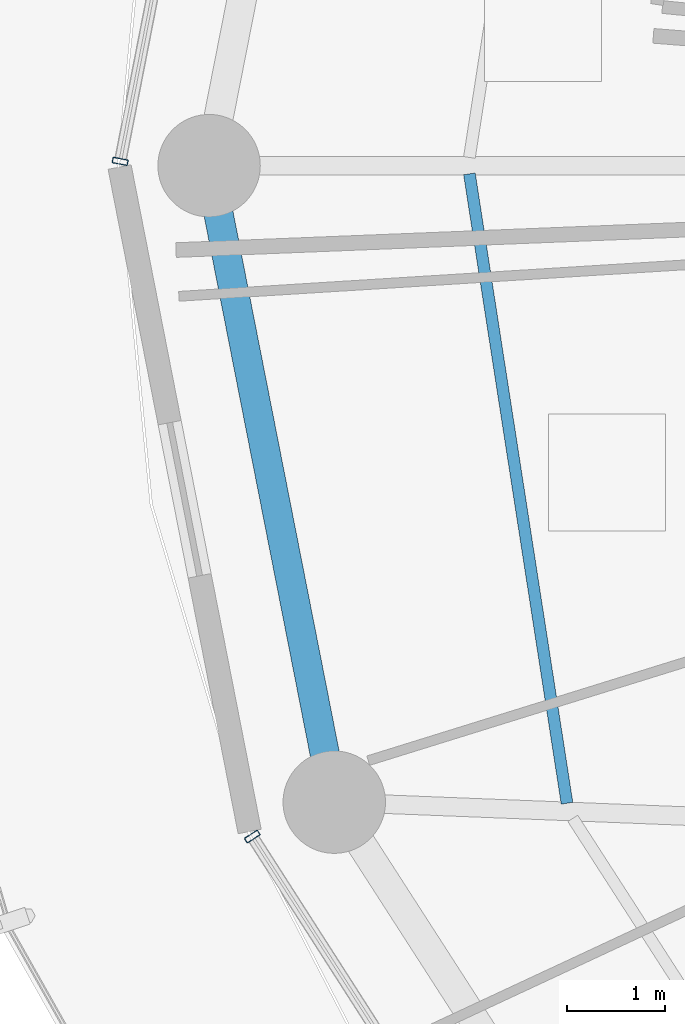
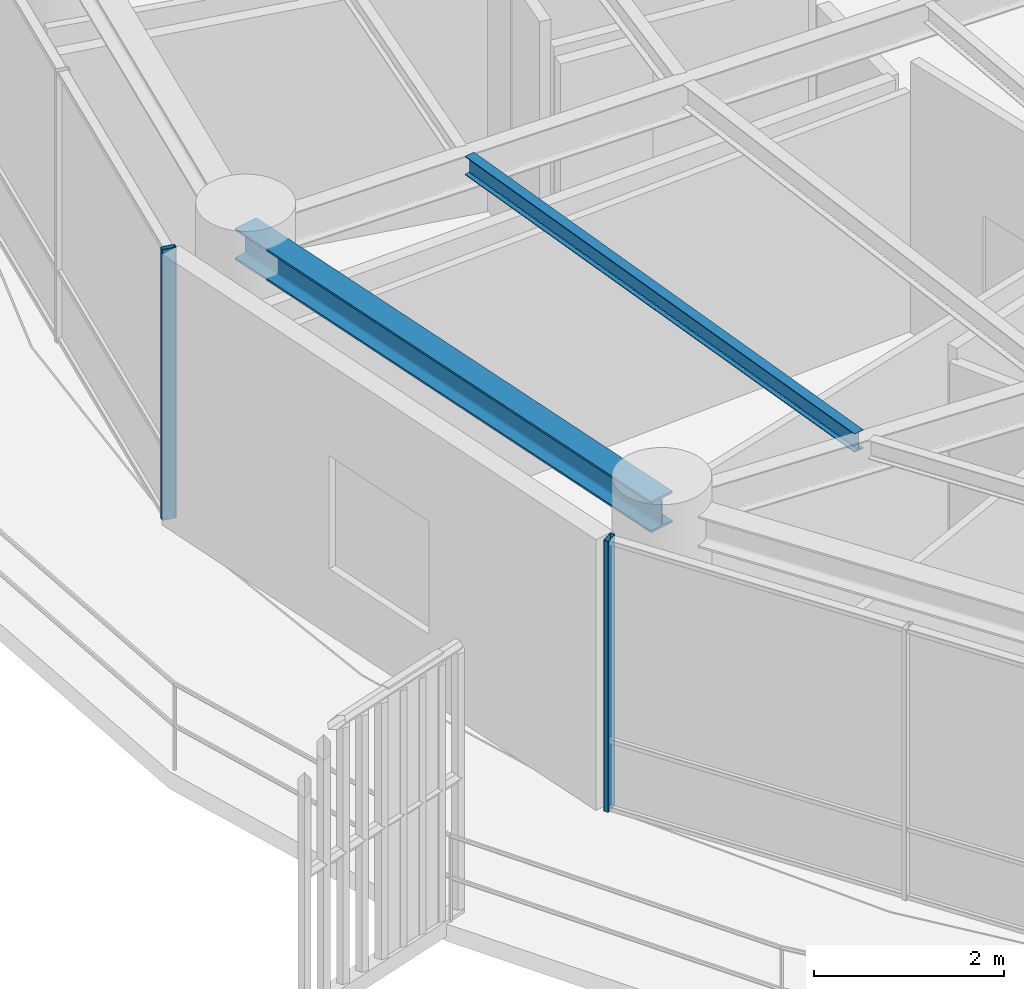
# One storey, part 6 of 31: 2 beams, 2 members, 2 elements without a shape of their own.
"""IFC4 building model written with IfcOpenShell, lengths in metres."""

import ifcopenshell
import ifcopenshell.guid

model = None  # the IFC model being written
_history = None  # IfcOwnerHistory: only IFC2X3 demands one
_inside = {}  # id of a spatial element -> (the spatial element, [elements in it])
_under = {}  # id of a project, library or spatial element -> (it, [spatial elements below it])
_declared = {}  # id of a project -> (the project, [libraries it declares])
_typed = {}  # id of a type object -> (the type object, [elements of that type])
_made_of = {}  # id of a material, layer set ... -> (it, [elements and type objects made of it])


def new_model(schema):
    """Start an empty IFC model of exactly this schema.

    Asked for "IFC4X3", IfcOpenShell would pick the latest addendum, in which some entities
    have other attributes; the version numbers below select the first issue.
    IFC2X3 requires an IfcOwnerHistory on every rooted entity: one is made here for all.
    """
    global model, _history
    if schema == "IFC4X3":
        model = ifcopenshell.file(schema_version=(4, 3, 0, 0))
    else:
        model = ifcopenshell.file(schema=schema)
    _inside.clear()
    _under.clear()
    _declared.clear()
    _typed.clear()
    _made_of.clear()
    _history = None
    if model.schema == "IFC2X3":
        org = make("IfcOrganization", Name="unknown")
        user = make(
            "IfcPersonAndOrganization",
            ThePerson=make("IfcPerson", FamilyName="unknown"),
            TheOrganization=org,
        )
        app = make(
            "IfcApplication",
            ApplicationDeveloper=org,
            Version="unknown",
            ApplicationFullName="unknown",
            ApplicationIdentifier="unknown",
        )
        _history = make(
            "IfcOwnerHistory",
            OwningUser=user,
            OwningApplication=app,
            ChangeAction="ADDED",
            CreationDate=0,
        )
    return model


def make(cls, **values):
    """One entity of the class cls with the attributes given. An attribute that is None is left unset."""
    return model.create_entity(
        cls, **{name: value for name, value in values.items() if value is not None}
    )


def rooted(cls, **values):
    """An entity with a GlobalId (a new one), such as an element, a storey or a relation."""
    return make(cls, GlobalId=ifcopenshell.guid.new(), OwnerHistory=_history, **values)


def si_unit(unit_type, name, prefix=None):
    """IfcSIUnit, for example si_unit("LENGTHUNIT", "METRE", prefix="MILLI")."""
    return make("IfcSIUnit", UnitType=unit_type, Prefix=prefix, Name=name)


def assignment(units):
    """IfcUnitAssignment: the units of a project."""
    return None if units is None else make("IfcUnitAssignment", Units=units)


def point(xyz):
    """IfcCartesianPoint."""
    return None if xyz is None else make("IfcCartesianPoint", Coordinates=xyz)


def direction(xyz):
    """IfcDirection."""
    return None if xyz is None else make("IfcDirection", DirectionRatios=xyz)


def frame(location, z_axis=None, x_axis=None):
    """IfcAxis2Placement3D, a coordinate frame: its origin and axes. An axis left out is left unset."""
    return make(
        "IfcAxis2Placement3D",
        Location=point(location),
        Axis=direction(z_axis),
        RefDirection=direction(x_axis),
    )


def frame_2d(location, x_axis=None):
    """IfcAxis2Placement2D, a coordinate frame in the plane: its origin and x axis."""
    return make(
        "IfcAxis2Placement2D", Location=point(location), RefDirection=direction(x_axis)
    )


def origin():
    """The frame at (0, 0, 0) with its axes left unset."""
    return frame((0.0, 0.0, 0.0))


def origin_2d():
    """The frame at (0, 0) in the plane with its x axis left unset."""
    return frame_2d((0.0, 0.0))


def place(relative_to, where):
    """IfcLocalPlacement: puts the frame where relative to a parent placement (None: the world)."""
    return make(
        "IfcLocalPlacement", PlacementRelTo=relative_to, RelativePlacement=where
    )


def context(
    kind, dimensions, precision=None, world=None, true_north=None, identifier=None
):
    """IfcGeometricRepresentationContext, for example the 3D "Model" context."""
    return make(
        "IfcGeometricRepresentationContext",
        ContextIdentifier=identifier,
        ContextType=kind,
        CoordinateSpaceDimension=dimensions,
        Precision=precision,
        WorldCoordinateSystem=world,
        TrueNorth=true_north,
    )


def subcontext(parent, identifier, kind, view, scale=None):
    """IfcGeometricRepresentationSubContext, for example "Body" below "Model"."""
    return make(
        "IfcGeometricRepresentationSubContext",
        ContextIdentifier=identifier,
        ContextType=kind,
        ParentContext=parent,
        TargetScale=scale,
        TargetView=view,
    )


def project(units=None, contexts=None):
    """IfcProject with its units and contexts."""
    return rooted(
        "IfcProject",
        Name="project",
        RepresentationContexts=contexts,
        UnitsInContext=assignment(units),
    )


def spatial(cls, under=None, at=None, **own):
    """A site, building, storey or space (cls), placed at a placement, below another one or the project."""
    s = rooted(cls, ObjectPlacement=at, **own)
    if under is not None:
        _under.setdefault(under.id(), (under, []))[1].append(s)
    return s


def profile(cls, at=None, kind="AREA", **sizes):
    """A parametric profile (cls). Its sizes go by their IFC names, for example OverallWidth=200.0."""
    return make(cls, ProfileType=kind, Position=at, **sizes)


def hollow_rectangle(**sizes):
    """IfcRectangleHollowProfileDef."""
    return profile("IfcRectangleHollowProfileDef", **sizes)


def i_section(**sizes):
    """IfcIShapeProfileDef."""
    return profile("IfcIShapeProfileDef", **sizes)


def extrude(swept, where, along, depth):
    """IfcExtrudedAreaSolid: the profile swept, set in the frame where, extruded along a direction by depth."""
    return make(
        "IfcExtrudedAreaSolid",
        SweptArea=swept,
        Position=where,
        ExtrudedDirection=direction(along),
        Depth=depth,
    )


def shape(context_of_items, identifier, shape_type, items):
    """IfcShapeRepresentation: the items that make up one representation, for example the "Body"."""
    return make(
        "IfcShapeRepresentation",
        ContextOfItems=context_of_items,
        RepresentationIdentifier=identifier,
        RepresentationType=shape_type,
        Items=items,
    )


def material(Name=None, Category=None):
    """IfcMaterial."""
    return make("IfcMaterial", Name=Name, Category=Category)


def layer(
    of_material, thickness, ventilated=None, Name=None, Category=None, Priority=None
):
    """IfcMaterialLayer: one layer of a wall or slab, of a material (None: an air gap)."""
    return make(
        "IfcMaterialLayer",
        Material=of_material,
        LayerThickness=thickness,
        IsVentilated=ventilated,
        Name=Name,
        Category=Category,
        Priority=Priority,
    )


def layer_set(layers, Name=None):
    """IfcMaterialLayerSet."""
    return make("IfcMaterialLayerSet", MaterialLayers=layers, LayerSetName=Name)


def material_profile(
    of_material, cross_section, Name=None, Category=None, Priority=None
):
    """IfcMaterialProfile: a cross section and its material."""
    return make(
        "IfcMaterialProfile",
        Name=Name,
        Material=of_material,
        Profile=cross_section,
        Priority=Priority,
        Category=Category,
    )


def profile_set(profiles, Name=None, composite=None):
    """IfcMaterialProfileSet."""
    return make(
        "IfcMaterialProfileSet",
        Name=Name,
        MaterialProfiles=profiles,
        CompositeProfile=composite,
    )


def made_of(thing, what):
    """Note that an element or type object is made of a material, layer set ...; save() writes the relation."""
    if what is not None:
        _made_of.setdefault(what.id(), (what, []))[1].append(thing)
    return thing


def type_object(cls, material=None, **own):
    """A type object (cls), such as IfcWallType, which elements share."""
    return made_of(rooted(cls, **own), material)


def element(
    cls,
    number,
    at=None,
    inside=None,
    cuts=None,
    type_object=None,
    material=None,
    context=None,
    identifier="Body",
    shape_type=None,
    held_by="IfcProductDefinitionShape",
    body=None,
    shapes=None,
    **own,
):
    """One element of the class cls, such as IfcWall. Its Tag is "e" and its number.

    at: its placement. inside: the storey or other place that contains it. cuts: it is an
    opening in that element (IfcRelVoidsElement). A single representation is given by context,
    identifier, shape_type and body (its items); several are given by shapes. held_by: the class
    of the entity that holds the representations. save() writes the other relations.
    """
    e = rooted(cls, Tag="e%d" % number, ObjectPlacement=at, **own)
    if body is not None:
        shapes = [shape(context, identifier, shape_type, body)]
    if shapes is not None:
        e.Representation = make(held_by, Representations=shapes)
    if inside is not None:
        _inside.setdefault(inside.id(), (inside, []))[1].append(e)
    if cuts is not None:
        rooted(
            "IfcRelVoidsElement", RelatingBuildingElement=cuts, RelatedOpeningElement=e
        )
    if type_object is not None:
        _typed.setdefault(type_object.id(), (type_object, []))[1].append(e)
    return made_of(e, material)


def aggregate(whole, parts):
    """IfcRelAggregates: a whole, such as a stair, and the parts it consists of."""
    return rooted("IfcRelAggregates", RelatingObject=whole, RelatedObjects=parts)


def save(model, path):
    """Write the relations noted so far, then the file.

    IfcRelAggregates (storeys below a building ...), IfcRelContainedInSpatialStructure (elements
    in a storey), IfcRelDefinesByType, IfcRelAssociatesMaterial and IfcRelDeclares: one each for
    every whole, place, type object, material and project.
    """
    for whole, parts in _under.values():
        aggregate(whole, parts)
    for where, things in _inside.values():
        rooted(
            "IfcRelContainedInSpatialStructure",
            RelatedElements=things,
            RelatingStructure=where,
        )
    for kind, things in _typed.values():
        rooted("IfcRelDefinesByType", RelatedObjects=things, RelatingType=kind)
    for what, things in _made_of.values():
        rooted("IfcRelAssociatesMaterial", RelatedObjects=things, RelatingMaterial=what)
    for by, libraries in _declared.values():
        rooted("IfcRelDeclares", RelatingContext=by, RelatedDefinitions=libraries)
    model.write(path)


model = new_model("IFC4")

# Units and contexts
model_context = context("Model", 3, precision=1e-05, world=origin(), true_north=direction((0.0, 1.0)))
body_context = subcontext(model_context, "Body", "Model", "MODEL_VIEW")
ifc_project = project(units=[si_unit("LENGTHUNIT", "METRE"), si_unit("AREAUNIT", "SQUARE_METRE"), si_unit("VOLUMEUNIT", "CUBIC_METRE"), si_unit("PLANEANGLEUNIT", "RADIAN"), si_unit("MASSUNIT", "GRAM", prefix="KILO")], contexts=[model_context])

# Site, building, storey
site_placement = place(None, origin())
site = spatial("IfcSite", under=ifc_project, at=site_placement, CompositionType="ELEMENT")
building_placement = place(site_placement, origin())
building = spatial("IfcBuilding", under=site, at=building_placement, Name="Kelanora Arch Commons", CompositionType="ELEMENT")
storey_placement = place(building_placement, frame((0.0, 0.0, 230.699951171875)))
storey = spatial("IfcBuildingStorey", under=building, at=storey_placement, Name="L59", CompositionType="ELEMENT", Elevation=230.699951171875)

# Beams
ifc_material_1 = material(Name="Steel S355", Category="steel")
ifc_material_profile_1 = material_profile(ifc_material_1, i_section(OverallWidth=0.1201171875, OverallDepth=0.239990234375, WebThickness=0.006103515625, FlangeThickness=0.009765625, FilletRadius=0.014892578125, at=origin_2d()), Name="IPE240")
ifc_profile_set_1 = profile_set([ifc_material_profile_1], Name="Steel S355")
beam_type_1 = type_object("IfcBeamType", Name="BM-JST-02", PredefinedType="JOIST", material=ifc_profile_set_1)
beam_1_placement = place(storey_placement, frame((55.388916015625, 57.916015625, 3.3701171875), z_axis=(0.153256756152, -0.988186402808, 0.0), x_axis=(0.988186402808, 0.153256756152, 0.0)))
element("IfcBeam", 1, at=beam_1_placement, inside=storey, type_object=beam_type_1, Name="Secondary Chord Joist BJC-18 L59", PredefinedType="JOIST", context=body_context, shape_type="SweptSolid", body=[
    extrude(i_section(OverallWidth=0.1201171875, OverallDepth=0.239990234375, WebThickness=0.006103515625, FlangeThickness=0.009765625, FilletRadius=0.014892578125, at=origin_2d()), origin(), (0.0, 0.0, 1.0), 6.52978515625),
])
ifc_material_profile_2 = material_profile(ifc_material_1, i_section(OverallWidth=0.300048828125, OverallDepth=0.39990234375, WebThickness=0.013427734375, FlangeThickness=0.02392578125, FilletRadius=0.027099609375, at=origin_2d()), Name="HEB400")
ifc_profile_set_2 = profile_set([ifc_material_profile_2], Name="Steel S355")
beam_type_2 = type_object("IfcBeamType", Name="BM-SPN-Z4", PredefinedType="SPANDREL", material=ifc_profile_set_2)
beam_2_placement = place(storey_placement, frame((52.719970703125, 58.0, 3.2900390625), z_axis=(0.192980724826, -0.981202547819, 0.0), x_axis=(0.981202547819, 0.192980724826, 0.0)))
element("IfcBeam", 2, at=beam_2_placement, inside=storey, type_object=beam_type_2, Name="Perimeter Spandrel Beam BS-18 L59", PredefinedType="SPANDREL", context=body_context, shape_type="SweptSolid", body=[
    extrude(i_section(OverallWidth=0.300048828125, OverallDepth=0.39990234375, WebThickness=0.013427734375, FlangeThickness=0.02392578125, FilletRadius=0.027099609375, at=origin_2d()), origin(), (0.0, 0.0, 1.0), 6.650634765625),
])

# Curtain wall, member
ifc_material_2 = material(Name="Terracotta ceramic-fritted low-E glass and aluminium", Category="masonry")
ifc_layer = layer(ifc_material_2, 0.175048828125)
ifc_layer_set = layer_set([ifc_layer], Name="Terracotta ceramic-fritted low-E glass and aluminium")
curtain_wall_type = type_object("IfcCurtainWallType", Name="CW-SYS-02", PredefinedType="NOTDEFINED", material=ifc_layer_set)
curtain_wall_1_placement = place(storey_placement, origin())
curtain_wall_1 = element("IfcCurtainWall", 3, at=curtain_wall_1_placement, inside=storey, type_object=curtain_wall_type, Name="Unitised Curtain Wall L59-B08", PredefinedType="NOTDEFINED")
ifc_material_3 = material(Name="Powder-coated aluminium terracotta", Category="masonry")
ifc_material_profile_3 = material_profile(ifc_material_3, hollow_rectangle(XDim=0.159912109375, YDim=0.06005859375, WallThickness=0.0048828125, InnerFilletRadius=0.0048828125, OuterFilletRadius=0.010009765625, at=origin_2d()), Name="CWM160x60")
ifc_profile_set_3 = profile_set([ifc_material_profile_3], Name="Powder-coated aluminium terracotta")
member_type = type_object("IfcMemberType", Name="CWM-STD", PredefinedType="MULLION", material=ifc_profile_set_3)
member_1_placement = place(storey_placement, frame((51.80859375, 58.044189453125, 0.0), z_axis=(0.0, 0.0, 1.0), x_axis=(0.981381438349, -0.192068926335, 0.0)))
member_1 = element("IfcMember", 4, at=member_1_placement, type_object=member_type, Name="CW-02 mullion 3", PredefinedType="MULLION", context=body_context, shape_type="SweptSolid", body=[
    extrude(hollow_rectangle(XDim=0.159912109375, YDim=0.06005859375, WallThickness=0.0048828125, InnerFilletRadius=0.0048828125, OuterFilletRadius=0.010009765625, at=origin_2d()), origin(), (0.0, 0.0, 1.0), 3.47509765625),
])
aggregate(curtain_wall_1, [member_1])

curtain_wall_2_placement = place(storey_placement, origin())
curtain_wall_2 = element("IfcCurtainWall", 5, at=curtain_wall_2_placement, inside=storey, type_object=curtain_wall_type, Name="Unitised Curtain Wall L59-B10", PredefinedType="NOTDEFINED")
member_2_placement = place(storey_placement, frame((53.1630859375, 51.121826171875, 0.0), z_axis=(0.0, 0.0, 1.0), x_axis=(0.84194757539, 0.539559338994, 0.0)))
member_2 = element("IfcMember", 6, at=member_2_placement, type_object=member_type, Name="CW-02 mullion 1", PredefinedType="MULLION", context=body_context, shape_type="SweptSolid", body=[
    extrude(hollow_rectangle(XDim=0.159912109375, YDim=0.06005859375, WallThickness=0.0048828125, InnerFilletRadius=0.0048828125, OuterFilletRadius=0.010009765625, at=origin_2d()), origin(), (0.0, 0.0, 1.0), 3.47509765625),
])
aggregate(curtain_wall_2, [member_2])

save(model, "model.ifc")
